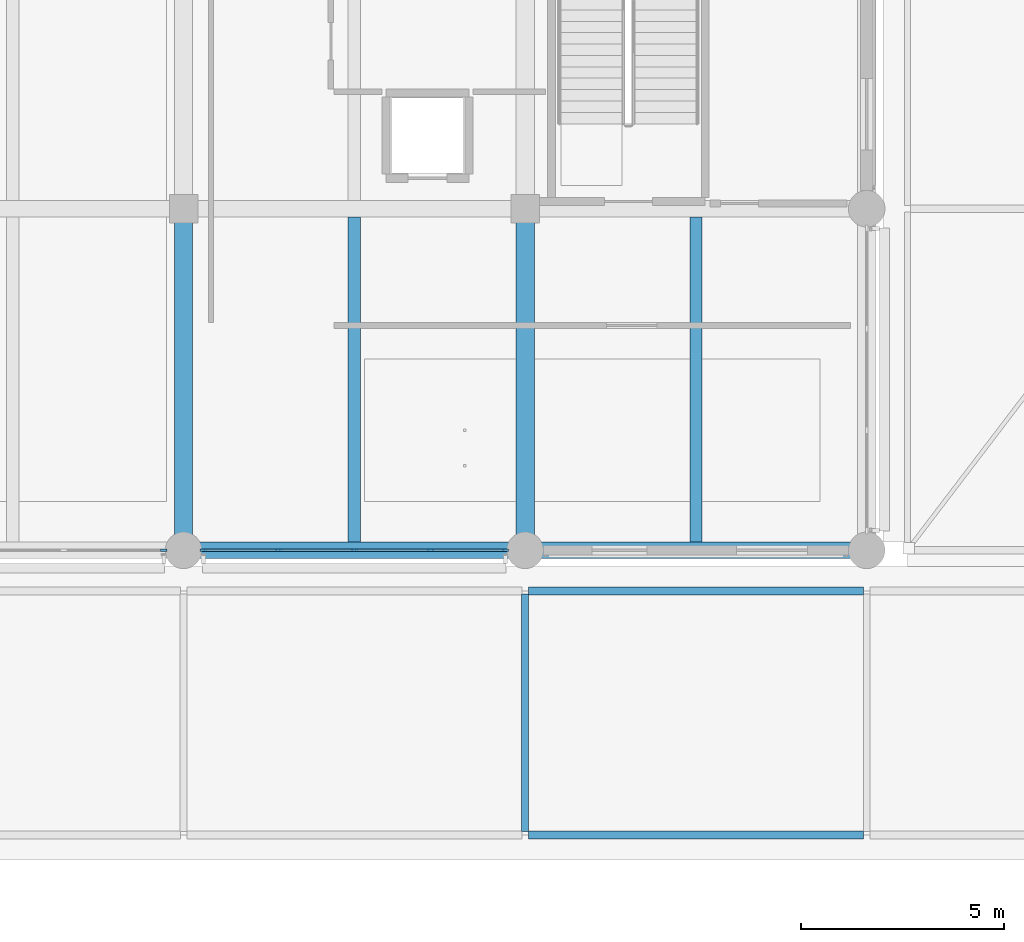
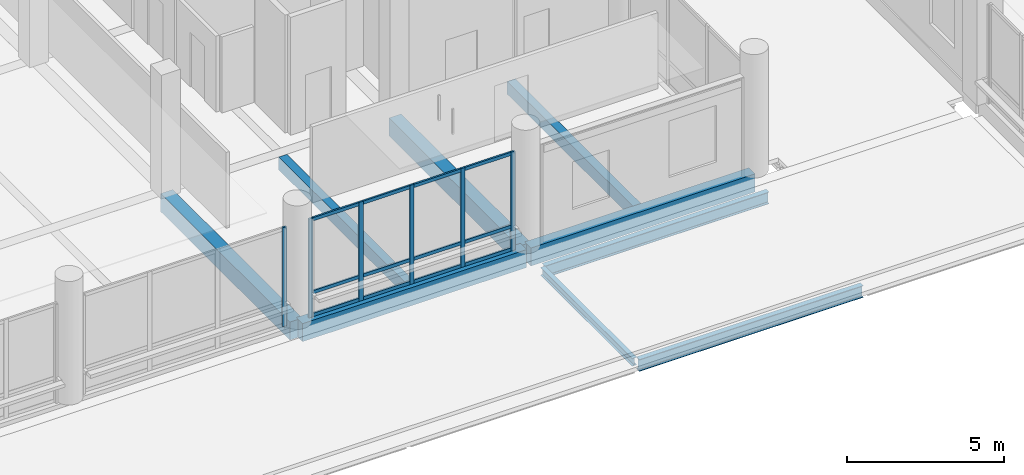
# One storey, part 5 of 128: 18 members, 9 beams, 2 elements without a shape of their own.
"""IFC4 building model written with IfcOpenShell, lengths in metres."""

from ifc_helpers import new_model, si_unit, direction, frame, origin, origin_2d, place, context, subcontext, project, spatial, rectangle, i_section, extrude, material, layer, layer_set, material_profile, profile_set, type_object, element, aggregate, save


model = new_model("IFC4")

# Units and contexts
model_context = context("Model", 3, precision=1e-05, world=origin(), true_north=direction((0.0, 1.0)))
body_context = subcontext(model_context, "Body", "Model", "MODEL_VIEW")
ifc_project = project(units=[si_unit("LENGTHUNIT", "METRE"), si_unit("AREAUNIT", "SQUARE_METRE"), si_unit("VOLUMEUNIT", "CUBIC_METRE"), si_unit("PLANEANGLEUNIT", "RADIAN"), si_unit("MASSUNIT", "GRAM", prefix="KILO")], contexts=[model_context])

# Site, building, storey
site_placement = place(None, origin())
site = spatial("IfcSite", under=ifc_project, at=site_placement, CompositionType="ELEMENT")
building_placement = place(site_placement, origin())
building = spatial("IfcBuilding", under=site, at=building_placement, Name="Telukmera Botanical Conservatory", CompositionType="ELEMENT")
storey_placement = place(building_placement, frame((0.0, 0.0, 5.39990234375)))
storey = spatial("IfcBuildingStorey", under=building, at=storey_placement, Name="L01", CompositionType="ELEMENT", Elevation=5.39990234375)

# Beams
ifc_material_1 = material(Name="Concrete C40/50", Category="concrete")
ifc_material_profile_1 = material_profile(ifc_material_1, rectangle(XDim=0.449951171875, YDim=0.699951171875, at=origin_2d()), Name="RC 450x700")
ifc_profile_set_1 = profile_set([ifc_material_profile_1], Name="Concrete C40/50")
beam_type_1 = type_object("IfcBeamType", Name="Beam_B15", PredefinedType="BEAM", material=ifc_profile_set_1)
for number, where, z_axis, x_axis, name in (
    (1, (25.199951171875, 17.679931640625, -0.349853515625), (0.0, 1.0, 0.0), (-1.0, 0.0, 0.0), "Visitor Wing Transverse Beam L01"),
    (2, (33.60009765625, 17.679931640625, -0.349853515625), (0.0, 1.0, 0.0), (-1.0, 0.0, 0.0), "Visitor Wing Transverse Beam L01"),
):
    element("IfcBeam", number, at=place(storey_placement, frame(where, z_axis=z_axis, x_axis=x_axis)), inside=storey, type_object=beam_type_1, Name=name, PredefinedType="BEAM", context=body_context, shape_type="SweptSolid", body=[
        extrude(rectangle(XDim=0.449951171875, YDim=0.699951171875, at=origin_2d()), origin(), (0.0, 0.0, 1.0), 8.239990234375),
    ])
ifc_material_profile_2 = material_profile(ifc_material_1, rectangle(XDim=0.300048828125, YDim=0.5, at=origin_2d()), Name="RC 300x500")
ifc_profile_set_2 = profile_set([ifc_material_profile_2], Name="Concrete C40/50")
beam_type_2 = type_object("IfcBeamType", Name="Beam_B24", PredefinedType="JOIST", material=ifc_profile_set_2)
for number, where, z_axis, x_axis, name in (
    (3, (29.39990234375, 17.800048828125, -0.25), (0.0, 1.0, 0.0), (-1.0, 0.0, 0.0), "Visitor Wing Floor Joist L01"),
    (4, (37.800048828125, 17.800048828125, -0.25), (0.0, 1.0, 0.0), (-1.0, 0.0, 0.0), "Visitor Wing Floor Joist L01"),
):
    element("IfcBeam", number, at=place(storey_placement, frame(where, z_axis=z_axis, x_axis=x_axis)), inside=storey, type_object=beam_type_2, Name=name, PredefinedType="JOIST", context=body_context, shape_type="SweptSolid", body=[
        extrude(rectangle(XDim=0.300048828125, YDim=0.5, at=origin_2d()), origin(), (0.0, 0.0, 1.0), 8.0),
    ])
ifc_material_profile_3 = material_profile(ifc_material_1, rectangle(XDim=0.39990234375, YDim=0.699951171875, at=origin_2d()), Name="RC 400x700")
ifc_profile_set_3 = profile_set([ifc_material_profile_3], Name="Concrete C40/50")
beam_type_3 = type_object("IfcBeamType", Name="Beam_B7", PredefinedType="BEAM", material=ifc_profile_set_3)
for number, where, z_axis, x_axis, name in (
    (5, (25.280029296875, 17.60009765625, -0.349853515625), (1.0, 0.0, 0.0), (0.0, 1.0, 0.0), "Visitor Wing Grid Beam L01"),
    (6, (33.679931640625, 17.60009765625, -0.349853515625), (1.0, 0.0, 0.0), (0.0, 1.0, 0.0), "Visitor Wing Grid Beam L01"),
):
    element("IfcBeam", number, at=place(storey_placement, frame(where, z_axis=z_axis, x_axis=x_axis)), inside=storey, type_object=beam_type_3, Name=name, PredefinedType="BEAM", context=body_context, shape_type="SweptSolid", body=[
        extrude(rectangle(XDim=0.39990234375, YDim=0.699951171875, at=origin_2d()), origin(), (0.0, 0.0, 1.0), 8.239990234375),
    ])
ifc_material_2 = material(Name="Steel S355", Category="steel")
ifc_material_profile_4 = material_profile(ifc_material_2, i_section(OverallWidth=0.19140625, OverallDepth=0.4599609375, WebThickness=0.010009765625, FlangeThickness=0.01611328125, FilletRadius=0.01025390625, at=origin_2d()), Name="UB 457x191x82")
ifc_profile_set_4 = profile_set([ifc_material_profile_4], Name="Steel S355")
beam_type_4 = type_object("IfcBeamType", Name="Beam_SB3", PredefinedType="BEAM", material=ifc_profile_set_4)
for number, where, z_axis, x_axis, name in (
    (7, (33.679931640625, 10.60009765625, -0.389892578125), (1.0, 0.0, 0.0), (0.0, 1.0, 0.0), "Canopy Steel Girder forecourt"),
    (8, (33.679931640625, 16.60009765625, -0.389892578125), (1.0, 0.0, 0.0), (0.0, 1.0, 0.0), "Canopy Steel Girder forecourt"),
):
    element("IfcBeam", number, at=place(storey_placement, frame(where, z_axis=z_axis, x_axis=x_axis)), inside=storey, type_object=beam_type_4, Name=name, PredefinedType="BEAM", context=body_context, shape_type="SweptSolid", body=[
        extrude(i_section(OverallWidth=0.19140625, OverallDepth=0.4599609375, WebThickness=0.010009765625, FlangeThickness=0.01611328125, FilletRadius=0.01025390625, at=origin_2d()), origin(), (0.0, 0.0, 1.0), 8.239990234375),
    ])
ifc_material_profile_5 = material_profile(ifc_material_2, i_section(OverallWidth=0.165771484375, OverallDepth=0.306640625, WebThickness=0.006591796875, FlangeThickness=0.01171875, FilletRadius=0.0087890625, at=origin_2d()), Name="UB 305x165x46")
ifc_profile_set_5 = profile_set([ifc_material_profile_5], Name="Steel S355")
beam_type_5 = type_object("IfcBeamType", Name="Beam_SB6", PredefinedType="JOIST", material=ifc_profile_set_5)
beam_placement = place(storey_placement, frame((33.60009765625, 10.679931640625, -0.313232421875), z_axis=(0.0, 1.0, 0.0), x_axis=(-1.0, 0.0, 0.0)))
element("IfcBeam", 9, at=beam_placement, inside=storey, type_object=beam_type_5, Name="Canopy Steel Purlin forecourt", PredefinedType="JOIST", context=body_context, shape_type="SweptSolid", body=[
    extrude(i_section(OverallWidth=0.165771484375, OverallDepth=0.306640625, WebThickness=0.006591796875, FlangeThickness=0.01171875, FilletRadius=0.0087890625, at=origin_2d()), origin(), (0.0, 0.0, 1.0), 5.840087890625),
])

# Curtain wall, member
ifc_material_3 = material(Name="Anodised aluminium 6063-T6", Category="aluminium")
ifc_layer_1 = layer(ifc_material_3, 0.179931640625)
ifc_layer_set_1 = layer_set([ifc_layer_1], Name="Anodised aluminium 6063-T6")
curtain_wall_type_1 = type_object("IfcCurtainWallType", Name="Visitor Gallery Second Floor Curtain Wall 2400 Mod", PredefinedType="USERDEFINED", material=ifc_layer_set_1)
curtain_wall_1_placement = place(storey_placement, origin())
curtain_wall_1 = element("IfcCurtainWall", 10, at=curtain_wall_1_placement, inside=storey, type_object=curtain_wall_type_1, Name="Unitised Curtain Wall CW09 V3:L01:S2", ObjectType="UNITISED CURTAIN WALL", PredefinedType="USERDEFINED")
ifc_material_profile_6 = material_profile(ifc_material_3, rectangle(XDim=0.06494140625, YDim=0.159912109375, at=origin_2d()), Name="ALU MULL 65x160")
ifc_profile_set_6 = profile_set([ifc_material_profile_6], Name="Anodised aluminium 6063-T6")
member_type_1 = type_object("IfcMemberType", Name="Curtain Wall Extruded Mullion 65x160", PredefinedType="MULLION", material=ifc_profile_set_6)
member_1_placement = place(storey_placement, frame((24.715576171875, 17.60009765625, 0.0), z_axis=(0.0, 0.0, 1.0), x_axis=(0.0, 1.0, 0.0)))
member_1 = element("IfcMember", 11, at=member_1_placement, type_object=member_type_1, Name="CW09 mullion 4", PredefinedType="MULLION", context=body_context, shape_type="SweptSolid", body=[
    extrude(rectangle(XDim=0.06494140625, YDim=0.159912109375, at=origin_2d()), origin(), (0.0, 0.0, 1.0), 3.85009765625),
])
aggregate(curtain_wall_1, [member_1])

# Curtain wall, members
ifc_layer_2 = layer(ifc_material_3, 0.179931640625)
ifc_layer_set_2 = layer_set([ifc_layer_2], Name="Anodised aluminium 6063-T6")
curtain_wall_type_2 = type_object("IfcCurtainWallType", Name="Visitor Gallery First Floor Curtain Wall 1800 Mod", PredefinedType="USERDEFINED", material=ifc_layer_set_2)
curtain_wall_2_placement = place(storey_placement, origin())
curtain_wall_2 = element("IfcCurtainWall", 12, at=curtain_wall_2_placement, inside=storey, type_object=curtain_wall_type_2, Name="Unitised Curtain Wall CW08 V3:L01:S3", ObjectType="UNITISED CURTAIN WALL", PredefinedType="USERDEFINED")
member_2_placement = place(storey_placement, frame((25.6845703125, 17.60009765625, 0.0), z_axis=(0.0, 0.0, 1.0), x_axis=(0.0, 1.0, 0.0)))
member_2 = element("IfcMember", 13, at=member_2_placement, type_object=member_type_1, Name="CW08 mullion 1", PredefinedType="MULLION", context=body_context, shape_type="SweptSolid", body=[
    extrude(rectangle(XDim=0.06494140625, YDim=0.159912109375, at=origin_2d()), origin(), (0.0, 0.0, 1.0), 3.85009765625),
])
member_3_placement = place(storey_placement, frame((27.52587890625, 17.60009765625, 0.0), z_axis=(0.0, 0.0, 1.0), x_axis=(0.0, 1.0, 0.0)))
member_3 = element("IfcMember", 14, at=member_3_placement, type_object=member_type_1, Name="CW08 mullion 2", PredefinedType="MULLION", context=body_context, shape_type="SweptSolid", body=[
    extrude(rectangle(XDim=0.06494140625, YDim=0.159912109375, at=origin_2d()), origin(), (0.0, 0.0, 1.0), 3.85009765625),
])
member_4_placement = place(storey_placement, frame((29.39990234375, 17.60009765625, 0.0), z_axis=(0.0, 0.0, 1.0), x_axis=(0.0, 1.0, 0.0)))
member_4 = element("IfcMember", 15, at=member_4_placement, type_object=member_type_1, Name="CW08 mullion 3", PredefinedType="MULLION", context=body_context, shape_type="SweptSolid", body=[
    extrude(rectangle(XDim=0.06494140625, YDim=0.159912109375, at=origin_2d()), origin(), (0.0, 0.0, 1.0), 3.85009765625),
])
member_5_placement = place(storey_placement, frame((31.27392578125, 17.60009765625, 0.0), z_axis=(0.0, 0.0, 1.0), x_axis=(0.0, 1.0, 0.0)))
member_5 = element("IfcMember", 16, at=member_5_placement, type_object=member_type_1, Name="CW08 mullion 4", PredefinedType="MULLION", context=body_context, shape_type="SweptSolid", body=[
    extrude(rectangle(XDim=0.06494140625, YDim=0.159912109375, at=origin_2d()), origin(), (0.0, 0.0, 1.0), 3.85009765625),
])
member_6_placement = place(storey_placement, frame((33.115478515625, 17.60009765625, 0.0), z_axis=(0.0, 0.0, 1.0), x_axis=(0.0, 1.0, 0.0)))
member_6 = element("IfcMember", 17, at=member_6_placement, type_object=member_type_1, Name="CW08 mullion 5", PredefinedType="MULLION", context=body_context, shape_type="SweptSolid", body=[
    extrude(rectangle(XDim=0.06494140625, YDim=0.159912109375, at=origin_2d()), origin(), (0.0, 0.0, 1.0), 3.85009765625),
])
ifc_material_profile_7 = material_profile(ifc_material_3, rectangle(XDim=0.06494140625, YDim=0.1298828125, at=origin_2d()), Name="ALU TRAN 65x130")
ifc_profile_set_7 = profile_set([ifc_material_profile_7], Name="Anodised aluminium 6063-T6")
member_type_2 = type_object("IfcMemberType", Name="Curtain Wall Extruded Transom 65x130", PredefinedType="USERDEFINED", material=ifc_profile_set_7)
member_7_placement = place(storey_placement, frame((25.717041015625, 17.60009765625, 0.065185546875), z_axis=(1.0, 0.0, 0.0), x_axis=(0.0, 1.0, 0.0)))
member_7 = element("IfcMember", 18, at=member_7_placement, type_object=member_type_2, Name="CW08 transom 1.1", ObjectType="TRANSOM", PredefinedType="USERDEFINED", context=body_context, shape_type="SweptSolid", body=[
    extrude(rectangle(XDim=0.06494140625, YDim=0.1298828125, at=origin_2d()), origin(), (0.0, 0.0, 1.0), 1.7763671875),
])
member_8_placement = place(storey_placement, frame((25.717041015625, 17.60009765625, 0.9501953125), z_axis=(1.0, 0.0, 0.0), x_axis=(0.0, 1.0, 0.0)))
member_8 = element("IfcMember", 19, at=member_8_placement, type_object=member_type_2, Name="CW08 transom 1.2", ObjectType="TRANSOM", PredefinedType="USERDEFINED", context=body_context, shape_type="SweptSolid", body=[
    extrude(rectangle(XDim=0.06494140625, YDim=0.1298828125, at=origin_2d()), origin(), (0.0, 0.0, 1.0), 1.7763671875),
])
member_9_placement = place(storey_placement, frame((25.717041015625, 17.60009765625, 3.78515625), z_axis=(1.0, 0.0, 0.0), x_axis=(0.0, 1.0, 0.0)))
member_9 = element("IfcMember", 20, at=member_9_placement, type_object=member_type_2, Name="CW08 transom 1.3", ObjectType="TRANSOM", PredefinedType="USERDEFINED", context=body_context, shape_type="SweptSolid", body=[
    extrude(rectangle(XDim=0.06494140625, YDim=0.1298828125, at=origin_2d()), origin(), (0.0, 0.0, 1.0), 1.7763671875),
])
member_10_placement = place(storey_placement, frame((27.55859375, 17.60009765625, 0.065185546875), z_axis=(1.0, 0.0, 0.0), x_axis=(0.0, 1.0, 0.0)))
member_10 = element("IfcMember", 21, at=member_10_placement, type_object=member_type_2, Name="CW08 transom 2.1", ObjectType="TRANSOM", PredefinedType="USERDEFINED", context=body_context, shape_type="SweptSolid", body=[
    extrude(rectangle(XDim=0.06494140625, YDim=0.1298828125, at=origin_2d()), origin(), (0.0, 0.0, 1.0), 1.808837890625),
])
member_11_placement = place(storey_placement, frame((27.55859375, 17.60009765625, 0.9501953125), z_axis=(1.0, 0.0, 0.0), x_axis=(0.0, 1.0, 0.0)))
member_11 = element("IfcMember", 22, at=member_11_placement, type_object=member_type_2, Name="CW08 transom 2.2", ObjectType="TRANSOM", PredefinedType="USERDEFINED", context=body_context, shape_type="SweptSolid", body=[
    extrude(rectangle(XDim=0.06494140625, YDim=0.1298828125, at=origin_2d()), origin(), (0.0, 0.0, 1.0), 1.808837890625),
])
member_12_placement = place(storey_placement, frame((27.55859375, 17.60009765625, 3.78515625), z_axis=(1.0, 0.0, 0.0), x_axis=(0.0, 1.0, 0.0)))
member_12 = element("IfcMember", 23, at=member_12_placement, type_object=member_type_2, Name="CW08 transom 2.3", ObjectType="TRANSOM", PredefinedType="USERDEFINED", context=body_context, shape_type="SweptSolid", body=[
    extrude(rectangle(XDim=0.06494140625, YDim=0.1298828125, at=origin_2d()), origin(), (0.0, 0.0, 1.0), 1.808837890625),
])
member_13_placement = place(storey_placement, frame((29.4326171875, 17.60009765625, 0.065185546875), z_axis=(1.0, 0.0, 0.0), x_axis=(0.0, 1.0, 0.0)))
member_13 = element("IfcMember", 24, at=member_13_placement, type_object=member_type_2, Name="CW08 transom 3.1", ObjectType="TRANSOM", PredefinedType="USERDEFINED", context=body_context, shape_type="SweptSolid", body=[
    extrude(rectangle(XDim=0.06494140625, YDim=0.1298828125, at=origin_2d()), origin(), (0.0, 0.0, 1.0), 1.808837890625),
])
member_14_placement = place(storey_placement, frame((29.4326171875, 17.60009765625, 0.9501953125), z_axis=(1.0, 0.0, 0.0), x_axis=(0.0, 1.0, 0.0)))
member_14 = element("IfcMember", 25, at=member_14_placement, type_object=member_type_2, Name="CW08 transom 3.2", ObjectType="TRANSOM", PredefinedType="USERDEFINED", context=body_context, shape_type="SweptSolid", body=[
    extrude(rectangle(XDim=0.06494140625, YDim=0.1298828125, at=origin_2d()), origin(), (0.0, 0.0, 1.0), 1.808837890625),
])
member_15_placement = place(storey_placement, frame((29.4326171875, 17.60009765625, 3.78515625), z_axis=(1.0, 0.0, 0.0), x_axis=(0.0, 1.0, 0.0)))
member_15 = element("IfcMember", 26, at=member_15_placement, type_object=member_type_2, Name="CW08 transom 3.3", ObjectType="TRANSOM", PredefinedType="USERDEFINED", context=body_context, shape_type="SweptSolid", body=[
    extrude(rectangle(XDim=0.06494140625, YDim=0.1298828125, at=origin_2d()), origin(), (0.0, 0.0, 1.0), 1.808837890625),
])
member_16_placement = place(storey_placement, frame((31.306396484375, 17.60009765625, 0.065185546875), z_axis=(1.0, 0.0, 0.0), x_axis=(0.0, 1.0, 0.0)))
member_16 = element("IfcMember", 27, at=member_16_placement, type_object=member_type_2, Name="CW08 transom 4.1", ObjectType="TRANSOM", PredefinedType="USERDEFINED", context=body_context, shape_type="SweptSolid", body=[
    extrude(rectangle(XDim=0.06494140625, YDim=0.1298828125, at=origin_2d()), origin(), (0.0, 0.0, 1.0), 1.776611328125),
])
member_17_placement = place(storey_placement, frame((31.306396484375, 17.60009765625, 0.9501953125), z_axis=(1.0, 0.0, 0.0), x_axis=(0.0, 1.0, 0.0)))
member_17 = element("IfcMember", 28, at=member_17_placement, type_object=member_type_2, Name="CW08 transom 4.2", ObjectType="TRANSOM", PredefinedType="USERDEFINED", context=body_context, shape_type="SweptSolid", body=[
    extrude(rectangle(XDim=0.06494140625, YDim=0.1298828125, at=origin_2d()), origin(), (0.0, 0.0, 1.0), 1.776611328125),
])
member_18_placement = place(storey_placement, frame((31.306396484375, 17.60009765625, 3.78515625), z_axis=(1.0, 0.0, 0.0), x_axis=(0.0, 1.0, 0.0)))
member_18 = element("IfcMember", 29, at=member_18_placement, type_object=member_type_2, Name="CW08 transom 4.3", ObjectType="TRANSOM", PredefinedType="USERDEFINED", context=body_context, shape_type="SweptSolid", body=[
    extrude(rectangle(XDim=0.06494140625, YDim=0.1298828125, at=origin_2d()), origin(), (0.0, 0.0, 1.0), 1.776611328125),
])
aggregate(curtain_wall_2, [member_2, member_3, member_4, member_5, member_6, member_7, member_8, member_9, member_10, member_11, member_12, member_13, member_14, member_15, member_16, member_17, member_18])

save(model, "model.ifc")
